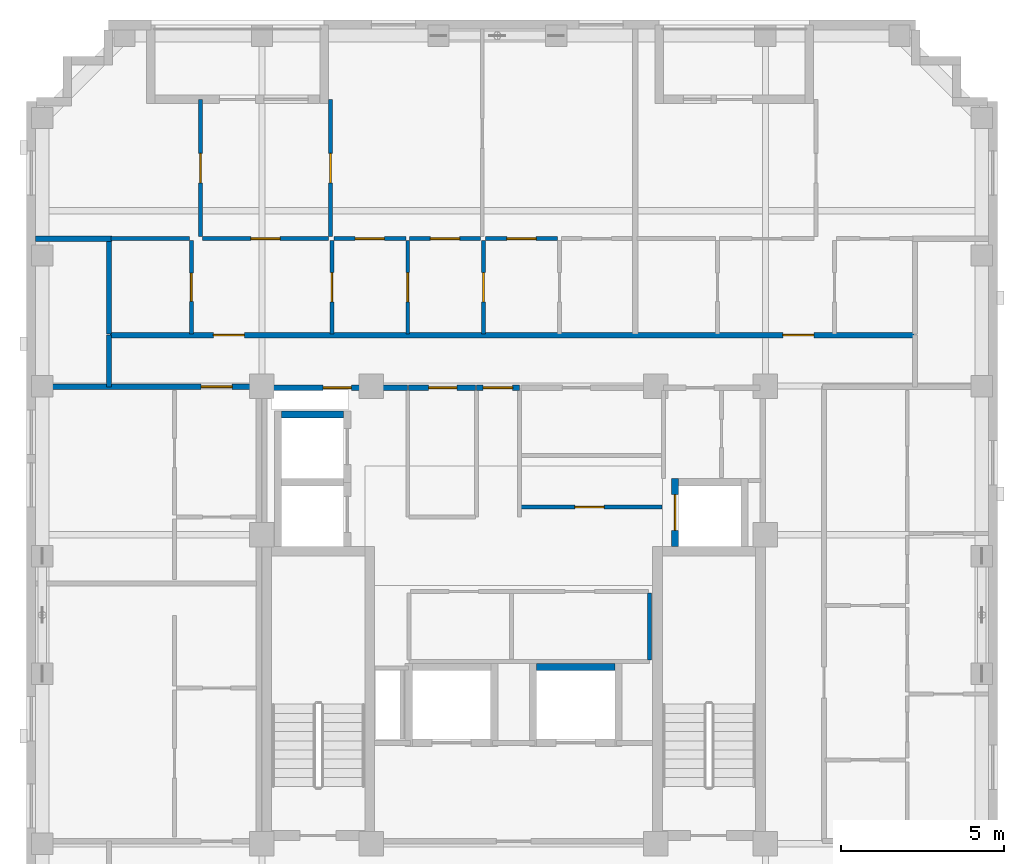
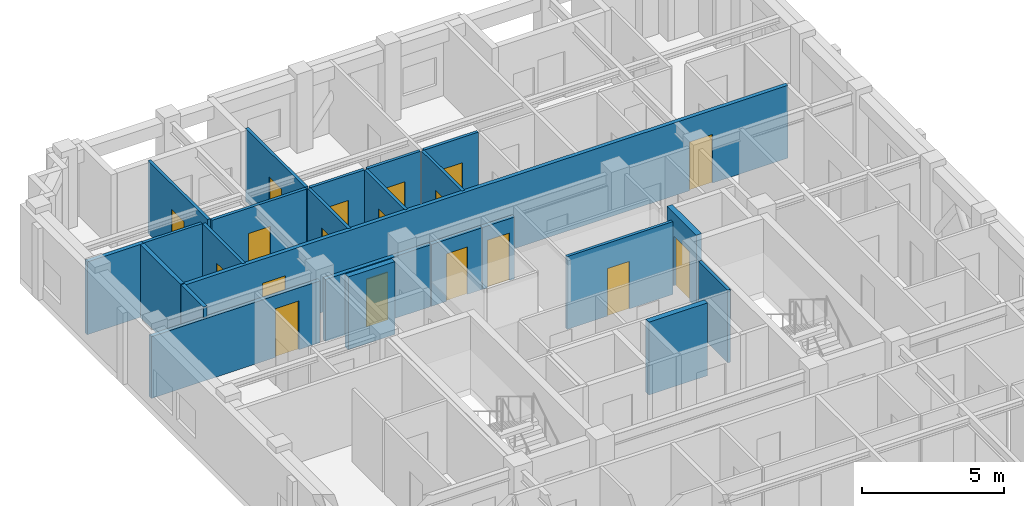
# One storey, part 5 of 11: 24 walls, 18 doors, 18 openings.
"""IFC4 building model written with IfcOpenShell, lengths in metres."""

from ifc_helpers import new_model, si_unit, derived_unit, direction, frame, frame_2d, origin, place, context, subcontext, project, spatial, rectangle, extrude, material, layer, layer_set, type_object, element, fill, save


model = new_model("IFC4")

# Units and contexts
model_context = context("Model", 3, precision=1e-05, world=origin(), true_north=direction((0.0, 1.0)))
body_context = subcontext(model_context, "Body", "Model", "MODEL_VIEW")
ifc_project = project(units=[si_unit("LENGTHUNIT", "METRE"), si_unit("AREAUNIT", "SQUARE_METRE"), si_unit("VOLUMEUNIT", "CUBIC_METRE"), si_unit("PLANEANGLEUNIT", "RADIAN"), si_unit("MASSUNIT", "GRAM", prefix="KILO"), derived_unit("THERMALTRANSMITTANCEUNIT", [(si_unit("MASSUNIT", "GRAM", prefix="KILO"), 1), (si_unit("TIMEUNIT", "SECOND"), -3), (si_unit("THERMODYNAMICTEMPERATUREUNIT", "KELVIN"), -1)])], contexts=[model_context])

# Site, building, storey
site_placement = place(None, origin())
site = spatial("IfcSite", under=ifc_project, at=site_placement, CompositionType="ELEMENT")
building_placement = place(site_placement, origin())
building = spatial("IfcBuilding", under=site, at=building_placement, Name="Korrvale Station Residences", CompositionType="ELEMENT")
storey_placement = place(building_placement, frame((0.0, 0.0, 254.699951171875)))
storey = spatial("IfcBuildingStorey", under=building, at=storey_placement, Name="L74", CompositionType="ELEMENT", Elevation=254.699951171875)

# Wall, opening, door
ifc_material_1 = material(Name="Acoustic steel-stud gypsum board partition", Category="steel")
ifc_layer_1 = layer(ifc_material_1, 0.1201171875, Name="Acoustic steel-stud gypsum board partition")
ifc_layer_set_1 = layer_set([ifc_layer_1], Name="Acoustic steel-stud gypsum board partition")
wall_type_1 = type_object("IfcWallType", Name="WAL-PART-125", PredefinedType="PARTITIONING", material=ifc_layer_set_1)
wall_1_placement = place(storey_placement, frame((25.719970703125, 25.300048828125, 0.0), z_axis=(0.0, 0.0, 1.0), x_axis=(1.0, 0.0, 0.0)))
wall_1 = element("IfcWall", 1, at=wall_1_placement, inside=storey, type_object=wall_type_1, Name="L74 Core Partition CW-FPLE-S", PredefinedType="PARTITIONING", context=body_context, shape_type="SweptSolid", body=[
    extrude(rectangle(XDim=4.320068359375, YDim=0.1201171875, at=frame_2d((2.16015625, 0.0))), origin(), (0.0, 0.0, 1.0), 3.14013671875),
])
opening_1_placement = place(wall_1_placement, frame((1.64990234375, 0.0, 0.0)))
opening_1 = element("IfcOpeningElement", 2, at=opening_1_placement, cuts=wall_1, Name="Opening DI-900", PredefinedType="OPENING", context=body_context, shape_type="SweptSolid", body=[
    extrude(rectangle(XDim=0.89990234375, YDim=2.050048828125, at=frame_2d((0.449951171875, 1.02490234375))), frame((0.0, 0.070068359375, 0.0), z_axis=(0.0, -1.0, 0.0), x_axis=(1.0, 0.0, 0.0)), (0.0, 0.0, 1.0), 0.14013671875),
])
ifc_material_2 = material(Name="Painted solid-core timber interior room door", Category="wood")
door_type_1 = type_object("IfcDoorType", Name="DR-INT-900", OperationType="NOTDEFINED", PredefinedType="DOOR", material=ifc_material_2)
door_1_placement = place(opening_1_placement, origin())
door_1 = element("IfcDoor", 3, at=door_1_placement, inside=storey, type_object=door_type_1, Name="L74 Housekeeping Linen Door", OperationType="SINGLE_SWING_LEFT", OverallHeight=2.050048828125, OverallWidth=0.89990234375, PredefinedType="DOOR", context=body_context, shape_type="SweptSolid", body=[
    extrude(rectangle(XDim=0.89990234375, YDim=2.050048828125, at=frame_2d((0.449951171875, 1.02490234375))), frame((0.0, 0.02490234375, 0.0), z_axis=(0.0, -1.0, 0.0), x_axis=(1.0, 0.0, 0.0)), (0.0, 0.0, 1.0), 0.050048828125),
])
fill(opening_1, door_1)

# Wall
wall_2_placement = place(storey_placement, frame((29.659912109375, 20.6201171875, 0.0), z_axis=(0.0, 0.0, 1.0), x_axis=(0.0, 1.0, 0.0)))
element("IfcWall", 4, at=wall_2_placement, inside=storey, type_object=wall_type_1, Name="L74 Core Partition CW-FPM-E", PredefinedType="PARTITIONING", context=body_context, shape_type="SweptSolid", body=[
    extrude(rectangle(XDim=2.059814453125, YDim=0.1201171875, at=frame_2d((1.02978515625, 0.0))), origin(), (0.0, 0.0, 1.0), 3.14013671875),
])

# Wall, opening, door
wall_3_placement = place(storey_placement, frame((15.639892578125, 30.60009765625, 0.0), z_axis=(0.0, 0.0, 1.0), x_axis=(0.0, 1.0, 0.0)))
wall_3 = element("IfcWall", 5, at=wall_3_placement, inside=storey, type_object=wall_type_1, Name="L74 Suite Partition U04-V01", PredefinedType="PARTITIONING", context=body_context, shape_type="SweptSolid", body=[
    extrude(rectangle(XDim=2.849853515625, YDim=0.1201171875, at=frame_2d((1.4248046875, 0.0))), origin(), (0.0, 0.0, 1.0), 3.14013671875),
])
opening_2_placement = place(wall_3_placement, frame((0.9951171875, 0.0, 0.0)))
opening_2 = element("IfcOpeningElement", 6, at=opening_2_placement, cuts=wall_3, Name="Opening DB-860", PredefinedType="OPENING", context=body_context, shape_type="SweptSolid", body=[
    extrude(rectangle(XDim=0.860107421875, YDim=2.050048828125, at=frame_2d((0.43017578125, 1.02490234375))), frame((0.0, 0.070068359375, 0.0), z_axis=(0.0, -1.0, 0.0), x_axis=(1.0, 0.0, 0.0)), (0.0, 0.0, 1.0), 0.14013671875),
])
ifc_material_3 = material(Name="Moisture-resistant solid-core bathroom door", Category="timber")
door_type_2 = type_object("IfcDoorType", Name="DR-BATH-860", OperationType="NOTDEFINED", PredefinedType="DOOR", material=ifc_material_3)
door_2_placement = place(opening_2_placement, origin())
door_2 = element("IfcDoor", 7, at=door_2_placement, inside=storey, type_object=door_type_2, Name="L74 Apartment 2BR L74-U04 Bathroom Door", OperationType="SINGLE_SWING_RIGHT", OverallHeight=2.050048828125, OverallWidth=0.860107421875, PredefinedType="DOOR", context=body_context, shape_type="SweptSolid", body=[
    extrude(rectangle(XDim=0.860107421875, YDim=2.050048828125, at=frame_2d((0.43017578125, 1.02490234375))), frame((0.0, 0.02490234375, 0.0), z_axis=(0.0, -1.0, 0.0), x_axis=(1.0, 0.0, 0.0)), (0.0, 0.0, 1.0), 0.050048828125),
])
fill(opening_2, door_2)

# Wall
wall_4_placement = place(storey_placement, frame((13.179931640625, 33.510009765625, 0.0), z_axis=(0.0, 0.0, 1.0), x_axis=(1.0, 0.0, 0.0)))
element("IfcWall", 8, at=wall_4_placement, inside=storey, type_object=wall_type_1, Name="L74 Suite Partition U04-H06", PredefinedType="PARTITIONING", context=body_context, shape_type="SweptSolid", body=[
    extrude(rectangle(XDim=2.400146484375, YDim=0.1201171875, at=frame_2d((1.2001953125, 0.0))), origin(), (0.0, 0.0, 1.0), 3.14013671875),
])

# Wall, opening, door
wall_5_placement = place(storey_placement, frame((19.93994140625, 30.60009765625, 0.0), z_axis=(0.0, 0.0, 1.0), x_axis=(0.0, 1.0, 0.0)))
wall_5 = element("IfcWall", 9, at=wall_5_placement, inside=storey, type_object=wall_type_1, Name="L74 Suite Partition U04-V12", PredefinedType="PARTITIONING", context=body_context, shape_type="SweptSolid", body=[
    extrude(rectangle(XDim=2.849853515625, YDim=0.1201171875, at=frame_2d((1.4248046875, 0.0))), origin(), (0.0, 0.0, 1.0), 3.14013671875),
])
opening_3_placement = place(wall_5_placement, frame((0.97509765625, 0.0, 0.0)))
opening_3 = element("IfcOpeningElement", 10, at=opening_3_placement, cuts=wall_5, Name="Opening DI-900", PredefinedType="OPENING", context=body_context, shape_type="SweptSolid", body=[
    extrude(rectangle(XDim=0.89990234375, YDim=2.050048828125, at=frame_2d((0.449951171875, 1.02490234375))), frame((0.0, 0.070068359375, 0.0), z_axis=(0.0, -1.0, 0.0), x_axis=(1.0, 0.0, 0.0)), (0.0, 0.0, 1.0), 0.14013671875),
])
door_3_placement = place(opening_3_placement, origin())
door_3 = element("IfcDoor", 11, at=door_3_placement, inside=storey, type_object=door_type_1, Name="L74 Apartment 2BR L74-U04 Kitchen Door", OperationType="SINGLE_SWING_LEFT", OverallHeight=2.050048828125, OverallWidth=0.89990234375, PredefinedType="DOOR", context=body_context, shape_type="SweptSolid", body=[
    extrude(rectangle(XDim=0.89990234375, YDim=2.050048828125, at=frame_2d((0.449951171875, 1.02490234375))), frame((0.0, 0.02490234375, 0.0), z_axis=(0.0, -1.0, 0.0), x_axis=(1.0, 0.0, 0.0)), (0.0, 0.0, 1.0), 0.050048828125),
])
fill(opening_3, door_3)

wall_6_placement = place(storey_placement, frame((15.97802734375, 33.510009765625, 0.0), z_axis=(0.0, 0.0, 1.0), x_axis=(1.0, 0.0, 0.0)))
wall_6 = element("IfcWall", 12, at=wall_6_placement, inside=storey, type_object=wall_type_1, Name="L74 Suite Partition U04-H17", PredefinedType="PARTITIONING", context=body_context, shape_type="SweptSolid", body=[
    extrude(rectangle(XDim=3.862060546875, YDim=0.1201171875, at=frame_2d((1.93115234375, 0.0))), origin(), (0.0, 0.0, 1.0), 3.14013671875),
])
opening_4_placement = place(wall_6_placement, frame((1.48095703125, 0.0, 0.0)))
opening_4 = element("IfcOpeningElement", 13, at=opening_4_placement, cuts=wall_6, Name="Opening DI-900", PredefinedType="OPENING", context=body_context, shape_type="SweptSolid", body=[
    extrude(rectangle(XDim=0.89990234375, YDim=2.050048828125, at=frame_2d((0.449951171875, 1.02490234375))), frame((0.0, 0.070068359375, 0.0), z_axis=(0.0, -1.0, 0.0), x_axis=(1.0, 0.0, 0.0)), (0.0, 0.0, 1.0), 0.14013671875),
])
door_4_placement = place(opening_4_placement, origin())
door_4 = element("IfcDoor", 14, at=door_4_placement, inside=storey, type_object=door_type_1, Name="L74 Apartment 2BR L74-U04 Kitchen Door", OperationType="SINGLE_SWING_RIGHT", OverallHeight=2.050048828125, OverallWidth=0.89990234375, PredefinedType="DOOR", context=body_context, shape_type="SweptSolid", body=[
    extrude(rectangle(XDim=0.89990234375, YDim=2.050048828125, at=frame_2d((0.449951171875, 1.02490234375))), frame((0.0, 0.02490234375, 0.0), z_axis=(0.0, -1.0, 0.0), x_axis=(1.0, 0.0, 0.0)), (0.0, 0.0, 1.0), 0.050048828125),
])
fill(opening_4, door_4)

wall_7_placement = place(storey_placement, frame((22.260009765625, 30.60009765625, 0.0), z_axis=(0.0, 0.0, 1.0), x_axis=(0.0, 1.0, 0.0)))
wall_7 = element("IfcWall", 15, at=wall_7_placement, inside=storey, type_object=wall_type_1, Name="L74 Suite Partition U04-V23", PredefinedType="PARTITIONING", context=body_context, shape_type="SweptSolid", body=[
    extrude(rectangle(XDim=2.849853515625, YDim=0.1201171875, at=frame_2d((1.4248046875, 0.0))), origin(), (0.0, 0.0, 1.0), 3.14013671875),
])
opening_5_placement = place(wall_7_placement, frame((0.97509765625, 0.0, 0.0)))
opening_5 = element("IfcOpeningElement", 16, at=opening_5_placement, cuts=wall_7, Name="Opening DI-900", PredefinedType="OPENING", context=body_context, shape_type="SweptSolid", body=[
    extrude(rectangle(XDim=0.89990234375, YDim=2.050048828125, at=frame_2d((0.449951171875, 1.02490234375))), frame((0.0, 0.070068359375, 0.0), z_axis=(0.0, -1.0, 0.0), x_axis=(1.0, 0.0, 0.0)), (0.0, 0.0, 1.0), 0.14013671875),
])
door_5_placement = place(opening_5_placement, origin())
door_5 = element("IfcDoor", 17, at=door_5_placement, inside=storey, type_object=door_type_1, Name="L74 Apartment 2BR L74-U04 Wardrobe Storage Room Door", OperationType="SINGLE_SWING_LEFT", OverallHeight=2.050048828125, OverallWidth=0.89990234375, PredefinedType="DOOR", context=body_context, shape_type="SweptSolid", body=[
    extrude(rectangle(XDim=0.89990234375, YDim=2.050048828125, at=frame_2d((0.449951171875, 1.02490234375))), frame((0.0, 0.02490234375, 0.0), z_axis=(0.0, -1.0, 0.0), x_axis=(1.0, 0.0, 0.0)), (0.0, 0.0, 1.0), 0.050048828125),
])
fill(opening_5, door_5)

wall_8_placement = place(storey_placement, frame((20.0, 33.510009765625, 0.0), z_axis=(0.0, 0.0, 1.0), x_axis=(1.0, 0.0, 0.0)))
wall_8 = element("IfcWall", 18, at=wall_8_placement, inside=storey, type_object=wall_type_1, Name="L74 Suite Partition U04-H28", PredefinedType="PARTITIONING", context=body_context, shape_type="SweptSolid", body=[
    extrude(rectangle(XDim=2.199951171875, YDim=0.1201171875, at=frame_2d((1.10009765625, 0.0))), origin(), (0.0, 0.0, 1.0), 3.14013671875),
])
opening_6_placement = place(wall_8_placement, frame((0.64990234375, 0.0, 0.0)))
opening_6 = element("IfcOpeningElement", 19, at=opening_6_placement, cuts=wall_8, Name="Opening DI-900", PredefinedType="OPENING", context=body_context, shape_type="SweptSolid", body=[
    extrude(rectangle(XDim=0.89990234375, YDim=2.050048828125, at=frame_2d((0.449951171875, 1.02490234375))), frame((0.0, 0.070068359375, 0.0), z_axis=(0.0, -1.0, 0.0), x_axis=(1.0, 0.0, 0.0)), (0.0, 0.0, 1.0), 0.14013671875),
])
door_6_placement = place(opening_6_placement, origin())
door_6 = element("IfcDoor", 20, at=door_6_placement, inside=storey, type_object=door_type_1, Name="L74 Apartment 2BR L74-U04 Wardrobe Storage Room Door", OperationType="SINGLE_SWING_RIGHT", OverallHeight=2.050048828125, OverallWidth=0.89990234375, PredefinedType="DOOR", context=body_context, shape_type="SweptSolid", body=[
    extrude(rectangle(XDim=0.89990234375, YDim=2.050048828125, at=frame_2d((0.449951171875, 1.02490234375))), frame((0.0, 0.02490234375, 0.0), z_axis=(0.0, -1.0, 0.0), x_axis=(1.0, 0.0, 0.0)), (0.0, 0.0, 1.0), 0.050048828125),
])
fill(opening_6, door_6)

wall_9_placement = place(storey_placement, frame((24.580078125, 30.60009765625, 0.0), z_axis=(0.0, 0.0, 1.0), x_axis=(0.0, 1.0, 0.0)))
wall_9 = element("IfcWall", 21, at=wall_9_placement, inside=storey, type_object=wall_type_1, Name="L74 Suite Partition U04-V34", PredefinedType="PARTITIONING", context=body_context, shape_type="SweptSolid", body=[
    extrude(rectangle(XDim=2.849853515625, YDim=0.1201171875, at=frame_2d((1.4248046875, 0.0))), origin(), (0.0, 0.0, 1.0), 3.14013671875),
])
opening_7_placement = place(wall_9_placement, frame((0.97509765625, 0.0, 0.0)))
opening_7 = element("IfcOpeningElement", 22, at=opening_7_placement, cuts=wall_9, Name="Opening DI-900", PredefinedType="OPENING", context=body_context, shape_type="SweptSolid", body=[
    extrude(rectangle(XDim=0.89990234375, YDim=2.050048828125, at=frame_2d((0.449951171875, 1.02490234375))), frame((0.0, 0.070068359375, 0.0), z_axis=(0.0, -1.0, 0.0), x_axis=(1.0, 0.0, 0.0)), (0.0, 0.0, 1.0), 0.14013671875),
])
door_7_placement = place(opening_7_placement, origin())
door_7 = element("IfcDoor", 23, at=door_7_placement, inside=storey, type_object=door_type_1, Name="L74 Apartment 2BR L74-U04 Wardrobe Storage Room Door", OperationType="SINGLE_SWING_LEFT", OverallHeight=2.050048828125, OverallWidth=0.89990234375, PredefinedType="DOOR", context=body_context, shape_type="SweptSolid", body=[
    extrude(rectangle(XDim=0.89990234375, YDim=2.050048828125, at=frame_2d((0.449951171875, 1.02490234375))), frame((0.0, 0.02490234375, 0.0), z_axis=(0.0, -1.0, 0.0), x_axis=(1.0, 0.0, 0.0)), (0.0, 0.0, 1.0), 0.050048828125),
])
fill(opening_7, door_7)

wall_10_placement = place(storey_placement, frame((22.320068359375, 33.510009765625, 0.0), z_axis=(0.0, 0.0, 1.0), x_axis=(1.0, 0.0, 0.0)))
wall_10 = element("IfcWall", 24, at=wall_10_placement, inside=storey, type_object=wall_type_1, Name="L74 Suite Partition U04-H38", PredefinedType="PARTITIONING", context=body_context, shape_type="SweptSolid", body=[
    extrude(rectangle(XDim=2.159912109375, YDim=0.1201171875, at=frame_2d((1.080078125, 0.0))), origin(), (0.0, 0.0, 1.0), 3.14013671875),
])
opening_8_placement = place(wall_10_placement, frame((0.6298828125, 0.0, 0.0)))
opening_8 = element("IfcOpeningElement", 25, at=opening_8_placement, cuts=wall_10, Name="Opening DI-900", PredefinedType="OPENING", context=body_context, shape_type="SweptSolid", body=[
    extrude(rectangle(XDim=0.89990234375, YDim=2.050048828125, at=frame_2d((0.449951171875, 1.02490234375))), frame((0.0, 0.070068359375, 0.0), z_axis=(0.0, -1.0, 0.0), x_axis=(1.0, 0.0, 0.0)), (0.0, 0.0, 1.0), 0.14013671875),
])
door_8_placement = place(opening_8_placement, origin())
door_8 = element("IfcDoor", 26, at=door_8_placement, inside=storey, type_object=door_type_1, Name="L74 Apartment 2BR L74-U04 Wardrobe Storage Room Door", OperationType="SINGLE_SWING_RIGHT", OverallHeight=2.050048828125, OverallWidth=0.89990234375, PredefinedType="DOOR", context=body_context, shape_type="SweptSolid", body=[
    extrude(rectangle(XDim=0.89990234375, YDim=2.050048828125, at=frame_2d((0.449951171875, 1.02490234375))), frame((0.0, 0.02490234375, 0.0), z_axis=(0.0, -1.0, 0.0), x_axis=(1.0, 0.0, 0.0)), (0.0, 0.0, 1.0), 0.050048828125),
])
fill(opening_8, door_8)

wall_11_placement = place(storey_placement, frame((24.639892578125, 33.510009765625, 0.0), z_axis=(0.0, 0.0, 1.0), x_axis=(1.0, 0.0, 0.0)))
wall_11 = element("IfcWall", 27, at=wall_11_placement, inside=storey, type_object=wall_type_1, Name="L74 Suite Partition U04-H49", PredefinedType="PARTITIONING", context=body_context, shape_type="SweptSolid", body=[
    extrude(rectangle(XDim=2.2001953125, YDim=0.1201171875, at=frame_2d((1.10009765625, 0.0))), origin(), (0.0, 0.0, 1.0), 3.14013671875),
])
opening_9_placement = place(wall_11_placement, frame((0.64990234375, 0.0, 0.0)))
opening_9 = element("IfcOpeningElement", 28, at=opening_9_placement, cuts=wall_11, Name="Opening DI-900", PredefinedType="OPENING", context=body_context, shape_type="SweptSolid", body=[
    extrude(rectangle(XDim=0.89990234375, YDim=2.050048828125, at=frame_2d((0.449951171875, 1.02490234375))), frame((0.0, 0.070068359375, 0.0), z_axis=(0.0, -1.0, 0.0), x_axis=(1.0, 0.0, 0.0)), (0.0, 0.0, 1.0), 0.14013671875),
])
door_9_placement = place(opening_9_placement, origin())
door_9 = element("IfcDoor", 29, at=door_9_placement, inside=storey, type_object=door_type_1, Name="L74 Apartment 2BR L74-U04 Wardrobe Storage Room Door", OperationType="SINGLE_SWING_RIGHT", OverallHeight=2.050048828125, OverallWidth=0.89990234375, PredefinedType="DOOR", context=body_context, shape_type="SweptSolid", body=[
    extrude(rectangle(XDim=0.89990234375, YDim=2.050048828125, at=frame_2d((0.449951171875, 1.02490234375))), frame((0.0, 0.02490234375, 0.0), z_axis=(0.0, -1.0, 0.0), x_axis=(1.0, 0.0, 0.0)), (0.0, 0.0, 1.0), 0.050048828125),
])
fill(opening_9, door_9)

wall_12_placement = place(storey_placement, frame((15.91796875, 33.570068359375, 0.0), z_axis=(0.0, 0.0, 1.0), x_axis=(0.0, 1.0, 0.0)))
wall_12 = element("IfcWall", 30, at=wall_12_placement, inside=storey, type_object=wall_type_1, Name="L74 Suite Partition U04-V67", PredefinedType="PARTITIONING", context=body_context, shape_type="SweptSolid", body=[
    extrude(rectangle(XDim=4.199951171875, YDim=0.1201171875, at=frame_2d((2.10009765625, 0.0))), origin(), (0.0, 0.0, 1.0), 3.14013671875),
])
opening_10_placement = place(wall_12_placement, frame((1.64990234375, 0.0, 0.0)))
opening_10 = element("IfcOpeningElement", 31, at=opening_10_placement, cuts=wall_12, Name="Opening DI-900", PredefinedType="OPENING", context=body_context, shape_type="SweptSolid", body=[
    extrude(rectangle(XDim=0.89990234375, YDim=2.050048828125, at=frame_2d((0.449951171875, 1.02490234375))), frame((0.0, 0.070068359375, 0.0), z_axis=(0.0, -1.0, 0.0), x_axis=(1.0, 0.0, 0.0)), (0.0, 0.0, 1.0), 0.14013671875),
])
door_10_placement = place(opening_10_placement, origin())
door_10 = element("IfcDoor", 32, at=door_10_placement, inside=storey, type_object=door_type_1, Name="L74 Apartment 2BR L74-U04 Living and Dining Room Door", OperationType="SINGLE_SWING_RIGHT", OverallHeight=2.050048828125, OverallWidth=0.89990234375, PredefinedType="DOOR", context=body_context, shape_type="SweptSolid", body=[
    extrude(rectangle(XDim=0.89990234375, YDim=2.050048828125, at=frame_2d((0.449951171875, 1.02490234375))), frame((0.0, 0.02490234375, 0.0), z_axis=(0.0, -1.0, 0.0), x_axis=(1.0, 0.0, 0.0)), (0.0, 0.0, 1.0), 0.050048828125),
])
fill(opening_10, door_10)

wall_13_placement = place(storey_placement, frame((19.89990234375, 33.570068359375, 0.0), z_axis=(0.0, 0.0, 1.0), x_axis=(0.0, 1.0, 0.0)))
wall_13 = element("IfcWall", 33, at=wall_13_placement, inside=storey, type_object=wall_type_1, Name="L74 Suite Partition U04-V78", PredefinedType="PARTITIONING", context=body_context, shape_type="SweptSolid", body=[
    extrude(rectangle(XDim=4.199951171875, YDim=0.1201171875, at=frame_2d((2.10009765625, 0.0))), origin(), (0.0, 0.0, 1.0), 3.14013671875),
])
opening_11_placement = place(wall_13_placement, frame((1.64990234375, 0.0, 0.0)))
opening_11 = element("IfcOpeningElement", 34, at=opening_11_placement, cuts=wall_13, Name="Opening DI-900", PredefinedType="OPENING", context=body_context, shape_type="SweptSolid", body=[
    extrude(rectangle(XDim=0.89990234375, YDim=2.050048828125, at=frame_2d((0.449951171875, 1.02490234375))), frame((0.0, 0.070068359375, 0.0), z_axis=(0.0, -1.0, 0.0), x_axis=(1.0, 0.0, 0.0)), (0.0, 0.0, 1.0), 0.14013671875),
])
door_11_placement = place(opening_11_placement, origin())
door_11 = element("IfcDoor", 35, at=door_11_placement, inside=storey, type_object=door_type_1, Name="L74 Apartment 2BR L74-U04 Formal Dining Room Door", OperationType="SINGLE_SWING_LEFT", OverallHeight=2.050048828125, OverallWidth=0.89990234375, PredefinedType="DOOR", context=body_context, shape_type="SweptSolid", body=[
    extrude(rectangle(XDim=0.89990234375, YDim=2.050048828125, at=frame_2d((0.449951171875, 1.02490234375))), frame((0.0, 0.02490234375, 0.0), z_axis=(0.0, -1.0, 0.0), x_axis=(1.0, 0.0, 0.0)), (0.0, 0.0, 1.0), 0.050048828125),
])
fill(opening_11, door_11)

ifc_material_4 = material(Name="Fire-rated twin-stud gypsum and mineral wool shaftwall assembly", Category="gypsum")
ifc_layer_2 = layer(ifc_material_4, 0.159912109375, Name="Fire-rated twin-stud gypsum and mineral wool shaftwall assembly")
ifc_layer_set_2 = layer_set([ifc_layer_2], Name="Fire-rated twin-stud gypsum and mineral wool shaftwall assembly")
wall_type_2 = type_object("IfcWallType", Name="WAL-PART-200", PredefinedType="PARTITIONING", material=ifc_layer_set_2)
wall_14_placement = place(storey_placement, frame((24.360107421875, 28.949951171875, 0.0), z_axis=(0.0, 0.0, 1.0), x_axis=(1.0, 0.0, 0.0)))
wall_14 = element("IfcWall", 36, at=wall_14_placement, inside=storey, type_object=wall_type_2, Name="L74 Core Partition CW-LLOB-N", PredefinedType="PARTITIONING", context=body_context, shape_type="SweptSolid", body=[
    extrude(rectangle(XDim=1.31982421875, YDim=0.159912109375, at=frame_2d((0.659912109375, 0.0))), origin(), (0.0, 0.0, 1.0), 2.66796875),
])
opening_12_placement = place(wall_14_placement, frame((0.2099609375, 0.0, 0.0)))
opening_12 = element("IfcOpeningElement", 37, at=opening_12_placement, cuts=wall_14, Name="Opening DI-900", PredefinedType="OPENING", context=body_context, shape_type="SweptSolid", body=[
    extrude(rectangle(XDim=0.89990234375, YDim=2.050048828125, at=frame_2d((0.449951171875, 1.02490234375))), frame((0.0, 0.08984375, 0.0), z_axis=(0.0, -1.0, 0.0), x_axis=(1.0, 0.0, 0.0)), (0.0, 0.0, 1.0), 0.179931640625),
])
door_12_placement = place(opening_12_placement, origin())
door_12 = element("IfcDoor", 38, at=door_12_placement, inside=storey, type_object=door_type_1, Name="L74 Central Hallway North Passage Door", OperationType="SINGLE_SWING_RIGHT", OverallHeight=2.050048828125, OverallWidth=0.89990234375, PredefinedType="DOOR", context=body_context, shape_type="SweptSolid", body=[
    extrude(rectangle(XDim=0.89990234375, YDim=2.050048828125, at=frame_2d((0.449951171875, 1.02490234375))), frame((0.0, 0.02490234375, 0.0), z_axis=(0.0, -1.0, 0.0), x_axis=(1.0, 0.0, 0.0)), (0.0, 0.0, 1.0), 0.050048828125),
])
fill(opening_12, door_12)

wall_15_placement = place(storey_placement, frame((17.9599609375, 28.949951171875, 0.0), z_axis=(0.0, 0.0, 1.0), x_axis=(1.0, 0.0, 0.0)))
wall_15 = element("IfcWall", 39, at=wall_15_placement, inside=storey, type_object=wall_type_2, Name="L74 Core Partition CW-NW", PredefinedType="PARTITIONING", context=body_context, shape_type="SweptSolid", body=[
    extrude(rectangle(XDim=4.2900390625, YDim=0.159912109375, at=frame_2d((2.14501953125, 0.0))), origin(), (0.0, 0.0, 1.0), 2.66796875),
])
opening_13_placement = place(wall_15_placement, frame((1.715087890625, 0.0, 0.0)))
opening_13 = element("IfcOpeningElement", 40, at=opening_13_placement, cuts=wall_15, Name="Opening DB-860", PredefinedType="OPENING", context=body_context, shape_type="SweptSolid", body=[
    extrude(rectangle(XDim=0.860107421875, YDim=2.050048828125, at=frame_2d((0.43017578125, 1.02490234375))), frame((0.0, 0.08984375, 0.0), z_axis=(0.0, -1.0, 0.0), x_axis=(1.0, 0.0, 0.0)), (0.0, 0.0, 1.0), 0.179931640625),
])
door_13_placement = place(opening_13_placement, origin())
door_13 = element("IfcDoor", 41, at=door_13_placement, inside=storey, type_object=door_type_2, Name="L74 Electrical Riser Access Door", OperationType="SINGLE_SWING_LEFT", OverallHeight=2.050048828125, OverallWidth=0.860107421875, PredefinedType="DOOR", context=body_context, shape_type="SweptSolid", body=[
    extrude(rectangle(XDim=0.860107421875, YDim=2.050048828125, at=frame_2d((0.43017578125, 1.02490234375))), frame((0.0, 0.02490234375, 0.0), z_axis=(0.0, -1.0, 0.0), x_axis=(1.0, 0.0, 0.0)), (0.0, 0.0, 1.0), 0.050048828125),
])
fill(opening_13, door_13)

wall_16_placement = place(storey_placement, frame((22.280029296875, 28.949951171875, 0.0), z_axis=(0.0, 0.0, 1.0), x_axis=(1.0, 0.0, 0.0)))
wall_16 = element("IfcWall", 42, at=wall_16_placement, inside=storey, type_object=wall_type_2, Name="L74 Core Partition CW-FPLW-N", PredefinedType="PARTITIONING", context=body_context, shape_type="SweptSolid", body=[
    extrude(rectangle(XDim=2.06005859375, YDim=0.159912109375, at=frame_2d((1.030029296875, 0.0))), origin(), (0.0, 0.0, 1.0), 2.66796875),
])
opening_14_placement = place(wall_16_placement, frame((0.6201171875, 0.0, 0.0)))
opening_14 = element("IfcOpeningElement", 43, at=opening_14_placement, cuts=wall_16, Name="Opening DB-860", PredefinedType="OPENING", context=body_context, shape_type="SweptSolid", body=[
    extrude(rectangle(XDim=0.860107421875, YDim=2.050048828125, at=frame_2d((0.43017578125, 1.02490234375))), frame((0.0, 0.08984375, 0.0), z_axis=(0.0, -1.0, 0.0), x_axis=(1.0, 0.0, 0.0)), (0.0, 0.0, 1.0), 0.179931640625),
])
door_14_placement = place(opening_14_placement, origin())
door_14 = element("IfcDoor", 44, at=door_14_placement, inside=storey, type_object=door_type_2, Name="L74 Resident Parcel Room Door", OperationType="SINGLE_SWING_RIGHT", OverallHeight=2.050048828125, OverallWidth=0.860107421875, PredefinedType="DOOR", context=body_context, shape_type="SweptSolid", body=[
    extrude(rectangle(XDim=0.860107421875, YDim=2.050048828125, at=frame_2d((0.43017578125, 1.02490234375))), frame((0.0, 0.02490234375, 0.0), z_axis=(0.0, -1.0, 0.0), x_axis=(1.0, 0.0, 0.0)), (0.0, 0.0, 1.0), 0.050048828125),
])
fill(opening_14, door_14)

# Walls
wall_17_placement = place(storey_placement, frame((13.1201171875, 28.97998046875, 0.0), z_axis=(0.0, 0.0, 1.0), x_axis=(0.0, 1.0, 0.0)))
element("IfcWall", 45, at=wall_17_placement, inside=storey, type_object=wall_type_2, Name="L74 Corridor North West Cap", PredefinedType="PARTITIONING", context=body_context, shape_type="SweptSolid", body=[
    extrude(rectangle(XDim=1.580078125, YDim=0.159912109375, at=frame_2d((0.7900390625, 0.0))), origin(), (0.0, 0.0, 1.0), 3.14013671875),
])
wall_18_placement = place(storey_placement, frame((10.8798828125, 33.510009765625, 0.0), z_axis=(0.0, 0.0, 1.0), x_axis=(1.0, 0.0, 0.0)))
element("IfcWall", 46, at=wall_18_placement, inside=storey, type_object=wall_type_2, Name="L74 Corner Step Wall U04-L", PredefinedType="PARTITIONING", context=body_context, shape_type="SweptSolid", body=[
    extrude(rectangle(XDim=2.340087890625, YDim=0.159912109375, at=frame_2d((1.169921875, 0.0))), origin(), (0.0, 0.0, 1.0), 3.14013671875),
])
wall_19_placement = place(storey_placement, frame((13.1201171875, 30.60009765625, 0.0), z_axis=(0.0, 0.0, 1.0), x_axis=(0.0, 1.0, 0.0)))
element("IfcWall", 47, at=wall_19_placement, inside=storey, type_object=wall_type_2, Name="L74 Corner Step Cheek U04-L", PredefinedType="PARTITIONING", context=body_context, shape_type="SweptSolid", body=[
    extrude(rectangle(XDim=2.909912109375, YDim=0.159912109375, at=frame_2d((1.455078125, 0.0))), origin(), (0.0, 0.0, 1.0), 3.14013671875),
])

# Wall, opening, door
wall_20_placement = place(storey_placement, frame((10.8798828125, 28.97998046875, 0.0), z_axis=(0.0, 0.0, 1.0), x_axis=(1.0, 0.0, 0.0)))
wall_20 = element("IfcWall", 48, at=wall_20_placement, inside=storey, type_object=wall_type_2, Name="L74 Side Suite North Entry Wall U07", PredefinedType="PARTITIONING", context=body_context, shape_type="SweptSolid", body=[
    extrude(rectangle(XDim=6.880126953125, YDim=0.159912109375, at=frame_2d((3.43994140625, 0.0))), origin(), (0.0, 0.0, 1.0), 2.66796875),
])
opening_15_placement = place(wall_20_placement, frame((5.06005859375, 0.0, 0.0)))
opening_15 = element("IfcOpeningElement", 49, at=opening_15_placement, cuts=wall_20, Name="Opening UD-950", PredefinedType="OPENING", context=body_context, shape_type="SweptSolid", body=[
    extrude(rectangle(XDim=0.949951171875, YDim=2.10009765625, at=frame_2d((0.47509765625, 1.050048828125))), frame((0.0, 0.08984375, 0.0), z_axis=(0.0, -1.0, 0.0), x_axis=(1.0, 0.0, 0.0)), (0.0, 0.0, 1.0), 0.179931640625),
])
ifc_material_5 = material(Name="Solid-core acoustic oak apartment entrance door", Category="timber")
door_type_3 = type_object("IfcDoorType", Name="DR-UNIT-950", OperationType="NOTDEFINED", PredefinedType="DOOR", material=ifc_material_5)
door_15_placement = place(opening_15_placement, origin())
door_15 = element("IfcDoor", 50, at=door_15_placement, inside=storey, type_object=door_type_3, Name="L74 Apartment L74-U07 Entrance Door", OperationType="SINGLE_SWING_LEFT", OverallHeight=2.10009765625, OverallWidth=0.949951171875, PredefinedType="DOOR", context=body_context, shape_type="SweptSolid", body=[
    extrude(rectangle(XDim=0.949951171875, YDim=2.10009765625, at=frame_2d((0.47509765625, 1.050048828125))), frame((0.0, 0.02490234375, 0.0), z_axis=(0.0, -1.0, 0.0), x_axis=(1.0, 0.0, 0.0)), (0.0, 0.0, 1.0), 0.050048828125),
])
fill(opening_15, door_15)

# Wall, openings, doors
wall_21_placement = place(storey_placement, frame((13.14990234375, 30.56005859375, 0.0), z_axis=(0.0, 0.0, 1.0), x_axis=(1.0, 0.0, 0.0)))
wall_21 = element("IfcWall", 51, at=wall_21_placement, inside=storey, type_object=wall_type_2, Name="L74 Rated Corridor Wall N", PredefinedType="PARTITIONING", context=body_context, shape_type="SweptSolid", body=[
    extrude(rectangle(XDim=24.60009765625, YDim=0.159912109375, at=frame_2d((12.300048828125, 0.0))), origin(), (0.0, 0.0, 1.0), 3.14013671875),
])
opening_16_placement = place(wall_21_placement, frame((3.1650390625, 0.0, 0.0)))
opening_16 = element("IfcOpeningElement", 52, at=opening_16_placement, cuts=wall_21, Name="Opening UD-950", PredefinedType="OPENING", context=body_context, shape_type="SweptSolid", body=[
    extrude(rectangle(XDim=0.949951171875, YDim=2.10009765625, at=frame_2d((0.47509765625, 1.050048828125))), frame((0.0, 0.08984375, 0.0), z_axis=(0.0, -1.0, 0.0), x_axis=(1.0, 0.0, 0.0)), (0.0, 0.0, 1.0), 0.179931640625),
])
opening_17_placement = place(wall_21_placement, frame((20.5849609375, 0.0, 0.0)))
opening_17 = element("IfcOpeningElement", 53, at=opening_17_placement, cuts=wall_21, Name="Opening UD-950", PredefinedType="OPENING", context=body_context, shape_type="SweptSolid", body=[
    extrude(rectangle(XDim=0.949951171875, YDim=2.10009765625, at=frame_2d((0.47509765625, 1.050048828125))), frame((0.0, 0.08984375, 0.0), z_axis=(0.0, -1.0, 0.0), x_axis=(1.0, 0.0, 0.0)), (0.0, 0.0, 1.0), 0.179931640625),
])
door_16_placement = place(opening_16_placement, origin())
door_16 = element("IfcDoor", 54, at=door_16_placement, inside=storey, type_object=door_type_3, Name="L74 Apartment L74-U04 Entrance Door", OperationType="SINGLE_SWING_LEFT", OverallHeight=2.10009765625, OverallWidth=0.949951171875, PredefinedType="DOOR", context=body_context, shape_type="SweptSolid", body=[
    extrude(rectangle(XDim=0.949951171875, YDim=2.10009765625, at=frame_2d((0.47509765625, 1.050048828125))), frame((0.0, 0.02490234375, 0.0), z_axis=(0.0, -1.0, 0.0), x_axis=(1.0, 0.0, 0.0)), (0.0, 0.0, 1.0), 0.050048828125),
])
fill(opening_16, door_16)
door_17_placement = place(opening_17_placement, origin())
door_17 = element("IfcDoor", 55, at=door_17_placement, inside=storey, type_object=door_type_3, Name="L74 Apartment L74-U05 Entrance Door", OperationType="SINGLE_SWING_RIGHT", OverallHeight=2.10009765625, OverallWidth=0.949951171875, PredefinedType="DOOR", context=body_context, shape_type="SweptSolid", body=[
    extrude(rectangle(XDim=0.949951171875, YDim=2.10009765625, at=frame_2d((0.47509765625, 1.050048828125))), frame((0.0, 0.02490234375, 0.0), z_axis=(0.0, -1.0, 0.0), x_axis=(1.0, 0.0, 0.0)), (0.0, 0.0, 1.0), 0.050048828125),
])
fill(opening_17, door_17)

# Wall
ifc_material_6 = material(Name="Concrete C50/60", Category="concrete")
ifc_layer_3 = layer(ifc_material_6, 0.219970703125, Name="Concrete C50/60")
ifc_layer_set_3 = layer_set([ifc_layer_3], Name="Concrete C50/60")
wall_type_3 = type_object("IfcWallType", Name="WAL-SHAFT-220-C50", PredefinedType="SHEAR", material=ifc_layer_set_3)
wall_22_placement = place(storey_placement, frame((18.39990234375, 28.1298828125, 0.0), z_axis=(0.0, 0.0, 1.0), x_axis=(1.0, 0.0, 0.0)))
element("IfcWall", 56, at=wall_22_placement, inside=storey, type_object=wall_type_3, Name="L74 Elevator PH-2 Hoistway Wall North", PredefinedType="SHEAR", context=body_context, shape_type="SweptSolid", body=[
    extrude(rectangle(XDim=1.900146484375, YDim=0.219970703125, at=frame_2d((0.9501953125, 0.0))), origin(), (0.0, 0.0, 1.0), 3.14013671875),
])

# Wall, opening, door
wall_23_placement = place(storey_placement, frame((30.43994140625, 24.10009765625, 0.0), z_axis=(0.0, 0.0, 1.0), x_axis=(0.0, 1.0, 0.0)))
wall_23 = element("IfcWall", 57, at=wall_23_placement, inside=storey, type_object=wall_type_3, Name="L74 Elevator PH-3 Hoistway Wall West", PredefinedType="SHEAR", context=body_context, shape_type="SweptSolid", body=[
    extrude(rectangle(XDim=2.06982421875, YDim=0.219970703125, at=frame_2d((1.034912109375, 0.0))), origin(), (0.0, 0.0, 1.0), 3.14013671875),
])
opening_18_placement = place(wall_23_placement, frame((0.485107421875, 0.0, 0.0)))
opening_18 = element("IfcOpeningElement", 58, at=opening_18_placement, cuts=wall_23, Name="Opening LD-1100", PredefinedType="OPENING", context=body_context, shape_type="SweptSolid", body=[
    extrude(rectangle(XDim=1.10009765625, YDim=2.14990234375, at=frame_2d((0.550048828125, 1.074951171875))), frame((0.0, 0.1201171875, 0.0), z_axis=(0.0, -1.0, 0.0), x_axis=(1.0, 0.0, 0.0)), (0.0, 0.0, 1.0), 0.239990234375),
])
ifc_material_7 = material(Name="Brushed stainless-steel elevator landing sliding door", Category="steel")
door_type_4 = type_object("IfcDoorType", Name="DR-LIFT-1100", OperationType="SLIDING_TO_LEFT", PredefinedType="DOOR", material=ifc_material_7)
door_18_placement = place(opening_18_placement, origin())
door_18 = element("IfcDoor", 59, at=door_18_placement, inside=storey, type_object=door_type_4, Name="L74 Elevator PH-3 Sliding Landing Door", OperationType="SLIDING_TO_LEFT", OverallHeight=2.14990234375, OverallWidth=1.10009765625, PredefinedType="DOOR", context=body_context, shape_type="SweptSolid", body=[
    extrude(rectangle(XDim=1.10009765625, YDim=2.14990234375, at=frame_2d((0.550048828125, 1.074951171875))), frame((0.0, 0.02490234375, 0.0), z_axis=(0.0, -1.0, 0.0), x_axis=(1.0, 0.0, 0.0)), (0.0, 0.0, 1.0), 0.050048828125),
])
fill(opening_18, door_18)

# Wall
wall_24_placement = place(storey_placement, frame((26.199951171875, 20.409912109375, 0.0), z_axis=(0.0, 0.0, 1.0), x_axis=(1.0, 0.0, 0.0)))
element("IfcWall", 60, at=wall_24_placement, inside=storey, type_object=wall_type_3, Name="L74 Elevator FFL-2 Hoistway Wall North", PredefinedType="SHEAR", context=body_context, shape_type="SweptSolid", body=[
    extrude(rectangle(XDim=2.400146484375, YDim=0.219970703125, at=frame_2d((1.2001953125, 0.0))), origin(), (0.0, 0.0, 1.0), 3.14013671875),
])

save(model, "model.ifc")
